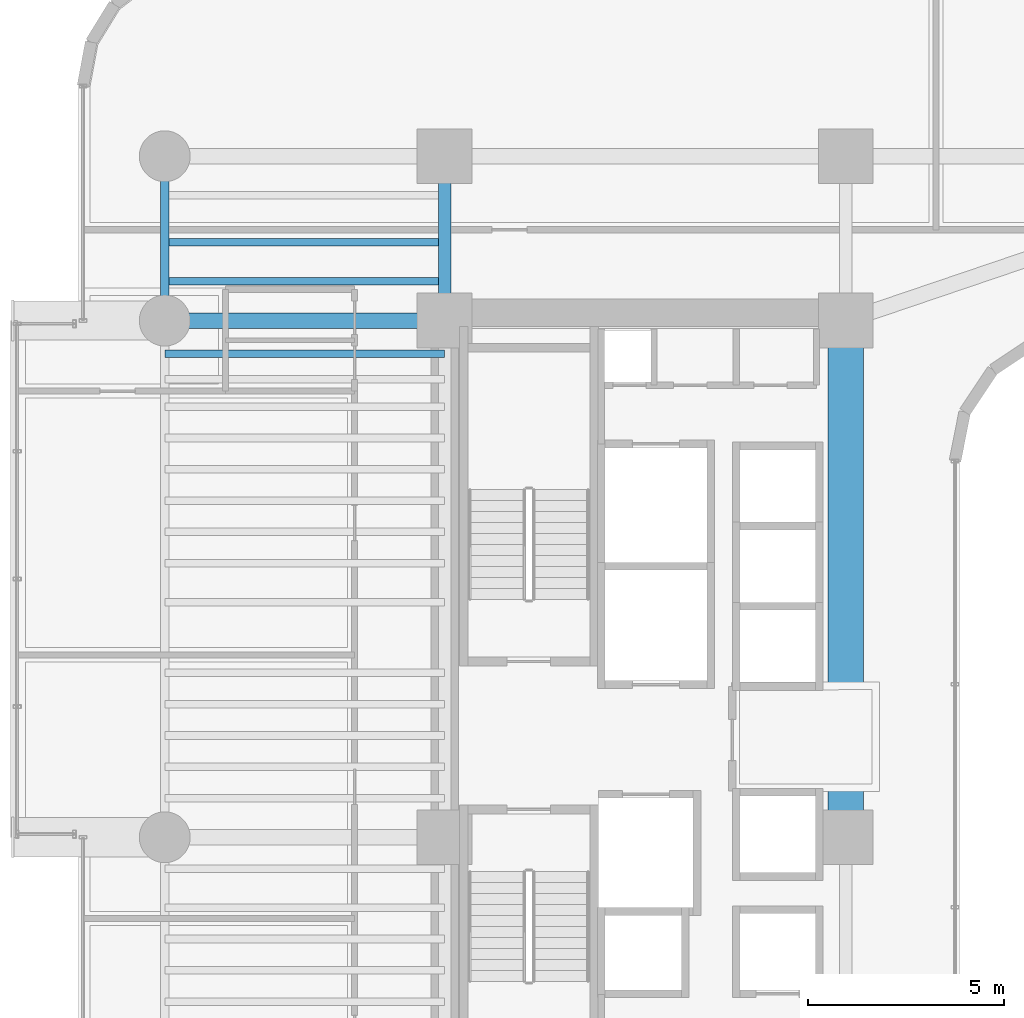
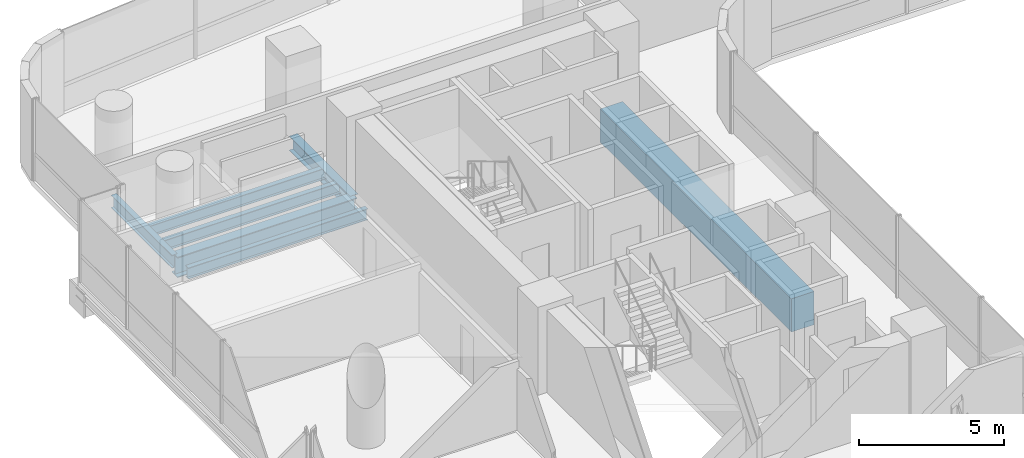
# One storey, part 9 of 39: 7 beams.
"""IFC4 building model written with IfcOpenShell, lengths in metres."""

from ifc_helpers import new_model, si_unit, direction, frame, origin, origin_2d, place, context, subcontext, project, spatial, rectangle, i_section, extrude, source, transform, mapped, material, material_profile, profile_set, type_object, element, save


model = new_model("IFC4")

# Units and contexts
model_context = context("Model", 3, precision=1e-05, world=origin(), true_north=direction((0.0, 1.0)))
body_context = subcontext(model_context, "Body", "Model", "MODEL_VIEW")
ifc_project = project(units=[si_unit("LENGTHUNIT", "METRE"), si_unit("AREAUNIT", "SQUARE_METRE"), si_unit("VOLUMEUNIT", "CUBIC_METRE"), si_unit("PLANEANGLEUNIT", "RADIAN"), si_unit("MASSUNIT", "GRAM", prefix="KILO")], contexts=[model_context])

# Site, building, storey
site_placement = place(None, origin())
site = spatial("IfcSite", under=ifc_project, at=site_placement, CompositionType="ELEMENT")
building_placement = place(site_placement, origin())
building = spatial("IfcBuilding", under=site, at=building_placement, Name="Valdorenza Pilgrim Sanctuary Tower", CompositionType="ELEMENT")
storey_placement = place(building_placement, frame((0.0, 0.0, 70.39990234375)))
storey = spatial("IfcBuildingStorey", under=building, at=storey_placement, Name="L17", CompositionType="ELEMENT", Elevation=70.39990234375)

# Beams
ifc_material_1 = material(Name="Concrete C60/75", Category="concrete")
ifc_material_profile_1 = material_profile(ifc_material_1, rectangle(XDim=0.89990234375, YDim=1.39990234375, at=origin_2d()), Name="RC 1400x900")
ifc_profile_set_1 = profile_set([ifc_material_profile_1], Name="Concrete C60/75")
beam_type_1 = type_object("IfcBeamType", Name="STR-BM-LNT-1400", PredefinedType="LINTEL", material=ifc_profile_set_1)
shared_shape_1 = source(origin(), body_context, "Body", "SweptSolid", [
    extrude(rectangle(XDim=0.89990234375, YDim=1.39990234375, at=origin_2d()), origin(), (0.0, 0.0, 1.0), 13.2001953125),
])
beam_1_placement = place(storey_placement, frame((-12.39990234375, -2.60009765625, -0.739990234375), z_axis=(0.0, 1.0, 0.0), x_axis=(-1.0, 0.0, 0.0)))
element("IfcBeam", 1, at=beam_1_placement, inside=storey, type_object=beam_type_1, Name="L17 Core A Coupling Lintel Girder", PredefinedType="LINTEL", context=body_context, shape_type="MappedRepresentation", body=[
    mapped(shared_shape_1, transform((0.0, 0.0, 0.0), x_axis=(1.0, 0.0, 0.0), y_axis=(0.0, 1.0, 0.0), z_axis=(0.0, 0.0, 1.0), scale=1.0)),
])
ifc_material_2 = material(Name="Steel ASTM A992 Grade 50", Category="steel")
ifc_material_profile_2 = material_profile(ifc_material_2, i_section(OverallWidth=0.214111328125, OverallDepth=0.549072265625, WebThickness=0.0146484375, FlangeThickness=0.023681640625, at=origin_2d()), Name="W21X93")
ifc_profile_set_2 = profile_set([ifc_material_profile_2], Name="Steel ASTM A992 Grade 50")
beam_type_2 = type_object("IfcBeamType", Name="STR-BM-SPN-W21A", PredefinedType="SPANDREL", material=ifc_profile_set_2)
shared_shape_2 = source(origin(), body_context, "Body", "SweptSolid", [
    extrude(i_section(OverallWidth=0.214111328125, OverallDepth=0.549072265625, WebThickness=0.0146484375, FlangeThickness=0.023681640625, at=origin_2d()), origin(), (0.0, 0.0, 1.0), 4.199951171875),
])
beam_2_placement = place(storey_placement, frame((-29.800048828125, 10.60009765625, -0.514404296875), z_axis=(0.0, 1.0, 0.0), x_axis=(-1.0, 0.0, 0.0)))
element("IfcBeam", 2, at=beam_2_placement, inside=storey, type_object=beam_type_2, Name="L17 Spandrel Beam WA-W-N1N2", PredefinedType="SPANDREL", context=body_context, shape_type="MappedRepresentation", body=[
    mapped(shared_shape_2, transform((0.0, 0.0, 0.0), x_axis=(1.0, 0.0, 0.0), y_axis=(0.0, 1.0, 0.0), z_axis=(0.0, 0.0, 1.0), scale=1.0)),
])
ifc_material_profile_3 = material_profile(ifc_material_2, i_section(OverallWidth=0.323974609375, OverallDepth=0.611083984375, WebThickness=0.0126953125, FlangeThickness=0.01904296875, at=origin_2d()), Name="W24X104")
ifc_profile_set_3 = profile_set([ifc_material_profile_3], Name="Steel ASTM A992 Grade 50")
beam_type_3 = type_object("IfcBeamType", Name="STR-BM-GRD-W24B", PredefinedType="BEAM", material=ifc_profile_set_3)
shared_shape_3 = source(origin(), body_context, "Body", "SweptSolid", [
    extrude(i_section(OverallWidth=0.323974609375, OverallDepth=0.611083984375, WebThickness=0.0126953125, FlangeThickness=0.01904296875, at=origin_2d()), origin(), (0.0, 0.0, 1.0), 4.199951171875),
])
beam_3_placement = place(storey_placement, frame((-22.64990234375, 10.60009765625, -0.54541015625), z_axis=(0.0, 1.0, 0.0), x_axis=(-1.0, 0.0, 0.0)))
element("IfcBeam", 3, at=beam_3_placement, inside=storey, type_object=beam_type_3, Name="L17 Core Tie Girder CA-W-N1N2", PredefinedType="BEAM", context=body_context, shape_type="MappedRepresentation", body=[
    mapped(shared_shape_3, transform((0.0, 0.0, 0.0), x_axis=(1.0, 0.0, 0.0), y_axis=(0.0, 1.0, 0.0), z_axis=(0.0, 0.0, 1.0), scale=1.0)),
])
ifc_material_profile_4 = material_profile(ifc_material_2, i_section(OverallWidth=0.193115234375, OverallDepth=0.466064453125, WebThickness=0.011474609375, FlangeThickness=0.01904296875, at=origin_2d()), Name="W18X65")
ifc_profile_set_4 = profile_set([ifc_material_profile_4], Name="Steel ASTM A992 Grade 50")
beam_type_4 = type_object("IfcBeamType", Name="STR-BM-JST-W18A", PredefinedType="JOIST", material=ifc_profile_set_4)
shared_shape_4 = source(origin(), body_context, "Body", "SweptSolid", [
    extrude(i_section(OverallWidth=0.193115234375, OverallDepth=0.466064453125, WebThickness=0.011474609375, FlangeThickness=0.01904296875, at=origin_2d()), origin(), (0.0, 0.0, 1.0), 7.150146484375),
])
for number, where, z_axis, x_axis, name in (
    (4, (-29.800048828125, 9.75, -0.472900390625), (1.0, 0.0, 0.0), (0.0, 1.0, 0.0), "L17 Composite Floor Joist JST-WA-23"),
    (5, (-29.800048828125, 11.60009765625, -0.472900390625), (1.0, 0.0, 0.0), (0.0, 1.0, 0.0), "L17 Composite Floor Joist JST-WA-24"),
    (6, (-29.800048828125, 12.60009765625, -0.472900390625), (1.0, 0.0, 0.0), (0.0, 1.0, 0.0), "L17 Composite Floor Joist JST-WA-25"),
):
    element("IfcBeam", number, at=place(storey_placement, frame(where, z_axis=z_axis, x_axis=x_axis)), inside=storey, type_object=beam_type_4, Name=name, PredefinedType="JOIST", context=body_context, shape_type="MappedRepresentation", body=[
        mapped(shared_shape_4, transform((0.0, 0.0, 0.0), x_axis=(1.0, 0.0, 0.0), y_axis=(0.0, 1.0, 0.0), z_axis=(0.0, 0.0, 1.0), scale=1.0)),
    ])
ifc_material_profile_5 = material_profile(ifc_material_2, i_section(OverallWidth=0.39990234375, OverallDepth=0.862060546875, WebThickness=0.019775390625, FlangeThickness=0.032470703125, at=origin_2d()), Name="W33X221")
ifc_profile_set_5 = profile_set([ifc_material_profile_5], Name="Steel ASTM A992 Grade 50")
beam_type_5 = type_object("IfcBeamType", Name="STR-BM-GRD-W33", PredefinedType="BEAM", material=ifc_profile_set_5)
shared_shape_5 = source(origin(), body_context, "Body", "SweptSolid", [
    extrude(i_section(OverallWidth=0.39990234375, OverallDepth=0.862060546875, WebThickness=0.019775390625, FlangeThickness=0.032470703125, at=origin_2d()), origin(), (0.0, 0.0, 1.0), 7.150146484375),
])
beam_4_placement = place(storey_placement, frame((-29.800048828125, 10.60009765625, -0.6708984375), z_axis=(1.0, 0.0, 0.0), x_axis=(0.0, 1.0, 0.0)))
element("IfcBeam", 7, at=beam_4_placement, inside=storey, type_object=beam_type_5, Name="L17 Floor Girder WA-XW-N1", PredefinedType="BEAM", context=body_context, shape_type="MappedRepresentation", body=[
    mapped(shared_shape_5, transform((0.0, 0.0, 0.0), x_axis=(1.0, 0.0, 0.0), y_axis=(0.0, 1.0, 0.0), z_axis=(0.0, 0.0, 1.0), scale=1.0)),
])

save(model, "model.ifc")
